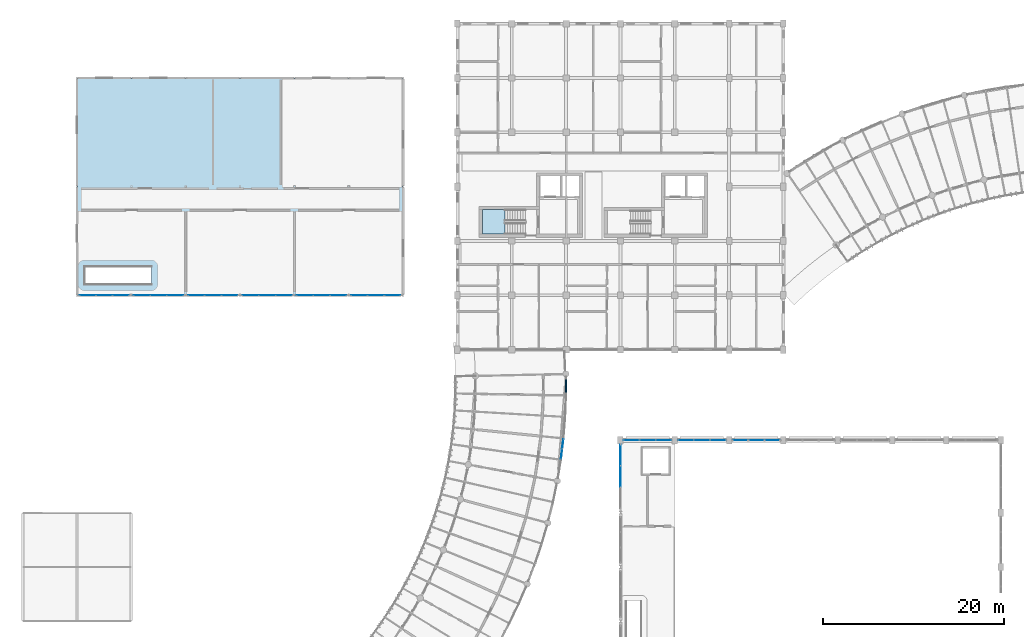
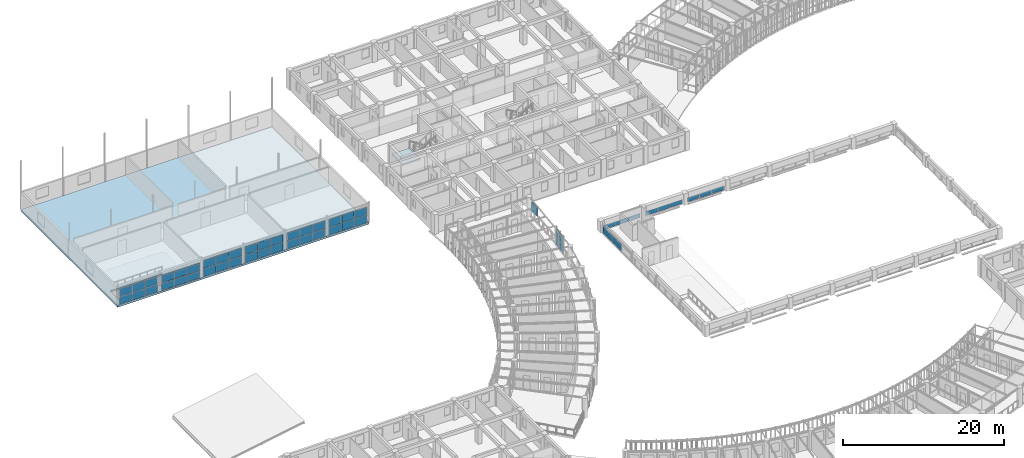
# One storey, part 79 of 137: 52 plates, 2 slabs, 12 elements without a shape of their own.
"""IFC4 building model written with IfcOpenShell, lengths in metres."""

import ifcopenshell
import ifcopenshell.guid

model = None  # the IFC model being written
_history = None  # IfcOwnerHistory: only IFC2X3 demands one
_inside = {}  # id of a spatial element -> (the spatial element, [elements in it])
_under = {}  # id of a project, library or spatial element -> (it, [spatial elements below it])
_declared = {}  # id of a project -> (the project, [libraries it declares])
_typed = {}  # id of a type object -> (the type object, [elements of that type])
_made_of = {}  # id of a material, layer set ... -> (it, [elements and type objects made of it])


def new_model(schema):
    """Start an empty IFC model of exactly this schema.

    Asked for "IFC4X3", IfcOpenShell would pick the latest addendum, in which some entities
    have other attributes; the version numbers below select the first issue.
    IFC2X3 requires an IfcOwnerHistory on every rooted entity: one is made here for all.
    """
    global model, _history
    if schema == "IFC4X3":
        model = ifcopenshell.file(schema_version=(4, 3, 0, 0))
    else:
        model = ifcopenshell.file(schema=schema)
    _inside.clear()
    _under.clear()
    _declared.clear()
    _typed.clear()
    _made_of.clear()
    _history = None
    if model.schema == "IFC2X3":
        org = make("IfcOrganization", Name="unknown")
        user = make(
            "IfcPersonAndOrganization",
            ThePerson=make("IfcPerson", FamilyName="unknown"),
            TheOrganization=org,
        )
        app = make(
            "IfcApplication",
            ApplicationDeveloper=org,
            Version="unknown",
            ApplicationFullName="unknown",
            ApplicationIdentifier="unknown",
        )
        _history = make(
            "IfcOwnerHistory",
            OwningUser=user,
            OwningApplication=app,
            ChangeAction="ADDED",
            CreationDate=0,
        )
    return model


def make(cls, **values):
    """One entity of the class cls with the attributes given. An attribute that is None is left unset."""
    return model.create_entity(
        cls, **{name: value for name, value in values.items() if value is not None}
    )


def rooted(cls, **values):
    """An entity with a GlobalId (a new one), such as an element, a storey or a relation."""
    return make(cls, GlobalId=ifcopenshell.guid.new(), OwnerHistory=_history, **values)


def si_unit(unit_type, name, prefix=None):
    """IfcSIUnit, for example si_unit("LENGTHUNIT", "METRE", prefix="MILLI")."""
    return make("IfcSIUnit", UnitType=unit_type, Prefix=prefix, Name=name)


def assignment(units):
    """IfcUnitAssignment: the units of a project."""
    return None if units is None else make("IfcUnitAssignment", Units=units)


def point(xyz):
    """IfcCartesianPoint."""
    return None if xyz is None else make("IfcCartesianPoint", Coordinates=xyz)


def direction(xyz):
    """IfcDirection."""
    return None if xyz is None else make("IfcDirection", DirectionRatios=xyz)


def frame(location, z_axis=None, x_axis=None):
    """IfcAxis2Placement3D, a coordinate frame: its origin and axes. An axis left out is left unset."""
    return make(
        "IfcAxis2Placement3D",
        Location=point(location),
        Axis=direction(z_axis),
        RefDirection=direction(x_axis),
    )


def frame_2d(location, x_axis=None):
    """IfcAxis2Placement2D, a coordinate frame in the plane: its origin and x axis."""
    return make(
        "IfcAxis2Placement2D", Location=point(location), RefDirection=direction(x_axis)
    )


def origin():
    """The frame at (0, 0, 0) with its axes left unset."""
    return frame((0.0, 0.0, 0.0))


def origin_2d():
    """The frame at (0, 0) in the plane with its x axis left unset."""
    return frame_2d((0.0, 0.0))


def place(relative_to, where):
    """IfcLocalPlacement: puts the frame where relative to a parent placement (None: the world)."""
    return make(
        "IfcLocalPlacement", PlacementRelTo=relative_to, RelativePlacement=where
    )


def context(
    kind, dimensions, precision=None, world=None, true_north=None, identifier=None
):
    """IfcGeometricRepresentationContext, for example the 3D "Model" context."""
    return make(
        "IfcGeometricRepresentationContext",
        ContextIdentifier=identifier,
        ContextType=kind,
        CoordinateSpaceDimension=dimensions,
        Precision=precision,
        WorldCoordinateSystem=world,
        TrueNorth=true_north,
    )


def subcontext(parent, identifier, kind, view, scale=None):
    """IfcGeometricRepresentationSubContext, for example "Body" below "Model"."""
    return make(
        "IfcGeometricRepresentationSubContext",
        ContextIdentifier=identifier,
        ContextType=kind,
        ParentContext=parent,
        TargetScale=scale,
        TargetView=view,
    )


def project(units=None, contexts=None):
    """IfcProject with its units and contexts."""
    return rooted(
        "IfcProject",
        Name="project",
        RepresentationContexts=contexts,
        UnitsInContext=assignment(units),
    )


def spatial(cls, under=None, at=None, **own):
    """A site, building, storey or space (cls), placed at a placement, below another one or the project."""
    s = rooted(cls, ObjectPlacement=at, **own)
    if under is not None:
        _under.setdefault(under.id(), (under, []))[1].append(s)
    return s


def polyline(points):
    """IfcPolyline through the points."""
    return make("IfcPolyline", Points=[point(p) for p in points])


def profile(cls, at=None, kind="AREA", **sizes):
    """A parametric profile (cls). Its sizes go by their IFC names, for example OverallWidth=200.0."""
    return make(cls, ProfileType=kind, Position=at, **sizes)


def rectangle(**sizes):
    """IfcRectangleProfileDef."""
    return profile("IfcRectangleProfileDef", **sizes)


def outline(outer, holes=None, kind="AREA"):
    """IfcArbitraryClosedProfileDef: a profile drawn as a closed curve; with holes, ...WithVoids."""
    if holes is None:
        return make("IfcArbitraryClosedProfileDef", ProfileType=kind, OuterCurve=outer)
    return make(
        "IfcArbitraryProfileDefWithVoids",
        ProfileType=kind,
        OuterCurve=outer,
        InnerCurves=holes,
    )


def extrude(swept, where, along, depth):
    """IfcExtrudedAreaSolid: the profile swept, set in the frame where, extruded along a direction by depth."""
    return make(
        "IfcExtrudedAreaSolid",
        SweptArea=swept,
        Position=where,
        ExtrudedDirection=direction(along),
        Depth=depth,
    )


def shape(context_of_items, identifier, shape_type, items):
    """IfcShapeRepresentation: the items that make up one representation, for example the "Body"."""
    return make(
        "IfcShapeRepresentation",
        ContextOfItems=context_of_items,
        RepresentationIdentifier=identifier,
        RepresentationType=shape_type,
        Items=items,
    )


def material(Name=None, Category=None):
    """IfcMaterial."""
    return make("IfcMaterial", Name=Name, Category=Category)


def layer(
    of_material, thickness, ventilated=None, Name=None, Category=None, Priority=None
):
    """IfcMaterialLayer: one layer of a wall or slab, of a material (None: an air gap)."""
    return make(
        "IfcMaterialLayer",
        Material=of_material,
        LayerThickness=thickness,
        IsVentilated=ventilated,
        Name=Name,
        Category=Category,
        Priority=Priority,
    )


def layer_set(layers, Name=None):
    """IfcMaterialLayerSet."""
    return make("IfcMaterialLayerSet", MaterialLayers=layers, LayerSetName=Name)


def made_of(thing, what):
    """Note that an element or type object is made of a material, layer set ...; save() writes the relation."""
    if what is not None:
        _made_of.setdefault(what.id(), (what, []))[1].append(thing)
    return thing


def type_object(cls, material=None, **own):
    """A type object (cls), such as IfcWallType, which elements share."""
    return made_of(rooted(cls, **own), material)


def element(
    cls,
    number,
    at=None,
    inside=None,
    cuts=None,
    type_object=None,
    material=None,
    context=None,
    identifier="Body",
    shape_type=None,
    held_by="IfcProductDefinitionShape",
    body=None,
    shapes=None,
    **own,
):
    """One element of the class cls, such as IfcWall. Its Tag is "e" and its number.

    at: its placement. inside: the storey or other place that contains it. cuts: it is an
    opening in that element (IfcRelVoidsElement). A single representation is given by context,
    identifier, shape_type and body (its items); several are given by shapes. held_by: the class
    of the entity that holds the representations. save() writes the other relations.
    """
    e = rooted(cls, Tag="e%d" % number, ObjectPlacement=at, **own)
    if body is not None:
        shapes = [shape(context, identifier, shape_type, body)]
    if shapes is not None:
        e.Representation = make(held_by, Representations=shapes)
    if inside is not None:
        _inside.setdefault(inside.id(), (inside, []))[1].append(e)
    if cuts is not None:
        rooted(
            "IfcRelVoidsElement", RelatingBuildingElement=cuts, RelatedOpeningElement=e
        )
    if type_object is not None:
        _typed.setdefault(type_object.id(), (type_object, []))[1].append(e)
    return made_of(e, material)


def aggregate(whole, parts):
    """IfcRelAggregates: a whole, such as a stair, and the parts it consists of."""
    return rooted("IfcRelAggregates", RelatingObject=whole, RelatedObjects=parts)


def save(model, path):
    """Write the relations noted so far, then the file.

    IfcRelAggregates (storeys below a building ...), IfcRelContainedInSpatialStructure (elements
    in a storey), IfcRelDefinesByType, IfcRelAssociatesMaterial and IfcRelDeclares: one each for
    every whole, place, type object, material and project.
    """
    for whole, parts in _under.values():
        aggregate(whole, parts)
    for where, things in _inside.values():
        rooted(
            "IfcRelContainedInSpatialStructure",
            RelatedElements=things,
            RelatingStructure=where,
        )
    for kind, things in _typed.values():
        rooted("IfcRelDefinesByType", RelatedObjects=things, RelatingType=kind)
    for what, things in _made_of.values():
        rooted("IfcRelAssociatesMaterial", RelatedObjects=things, RelatingMaterial=what)
    for by, libraries in _declared.values():
        rooted("IfcRelDeclares", RelatingContext=by, RelatedDefinitions=libraries)
    model.write(path)


model = new_model("IFC4")

# Units and contexts
model_context = context("Model", 3, precision=1e-05, world=origin(), true_north=direction((0.0, 1.0)))
body_context = subcontext(model_context, "Body", "Model", "MODEL_VIEW")
ifc_project = project(units=[si_unit("LENGTHUNIT", "METRE"), si_unit("AREAUNIT", "SQUARE_METRE"), si_unit("VOLUMEUNIT", "CUBIC_METRE"), si_unit("PLANEANGLEUNIT", "RADIAN"), si_unit("MASSUNIT", "GRAM", prefix="KILO"), si_unit("POWERUNIT", "WATT"), si_unit("THERMODYNAMICTEMPERATUREUNIT", "KELVIN")], contexts=[model_context])

# Site, building, storey
site_placement = place(None, origin())
site = spatial("IfcSite", under=ifc_project, at=site_placement, CompositionType="ELEMENT")
building_placement = place(site_placement, origin())
building = spatial("IfcBuilding", under=site, at=building_placement, Name="Ruvembo Vaulted Housing Court", CompositionType="ELEMENT")
storey_placement = place(building_placement, frame((0.0, 0.0, 4.5)))
storey = spatial("IfcBuildingStorey", under=building, at=storey_placement, Name="L01", CompositionType="ELEMENT", Elevation=4.5)

# Curtain wall, plates
ifc_material_1 = material(Name="Anodised Aluminium and Solar-Control Glass", Category="aluminium")
ifc_layer_1 = layer(ifc_material_1, 0.1201171875, Name="Anodised Aluminium and Solar-Control Glass")
ifc_layer_set_1 = layer_set([ifc_layer_1], Name="Anodised Aluminium and Solar-Control Glass")
curtain_wall_type_1 = type_object("IfcCurtainWallType", Name="CW-SCOOP-GAL", PredefinedType="NOTDEFINED", material=ifc_layer_set_1)
curtain_wall_1_placement = place(storey_placement, origin())
curtain_wall_1 = element("IfcCurtainWall", 1, at=curtain_wall_1_placement, inside=storey, type_object=curtain_wall_type_1, Name="L01 Curtain Wall CW-L01-0012", PredefinedType="NOTDEFINED")
ifc_material_2 = material(Name="Solar-Control Laminated Insulating Glass", Category="glass")
ifc_layer_2 = layer(ifc_material_2, 0.035888671875, Name="Solar-Control Laminated Insulating Glass")
ifc_layer_set_2 = layer_set([ifc_layer_2], Name="Solar-Control Laminated Insulating Glass")
plate_type_1 = type_object("IfcPlateType", Name="CW-PANEL-ACOUST", PredefinedType="CURTAIN_PANEL", material=ifc_layer_set_2)
plate_1_placement = place(storey_placement, frame((59.49951171875, 66.47021484375, 0.06005859375), z_axis=(0.0, 0.0, 1.0), x_axis=(0.12040089337, 0.992725352187, 0.0)))
plate_1 = element("IfcPlate", 2, at=plate_1_placement, type_object=plate_type_1, Name="CW6 panel 1.1", PredefinedType="CURTAIN_PANEL", context=body_context, shape_type="SweptSolid", body=[
    extrude(rectangle(XDim=1.04833984375, YDim=0.035888671875, at=origin_2d()), origin(), (0.0, 0.0, 1.0), 1.259033203125),
])
plate_2_placement = place(storey_placement, frame((59.49951171875, 66.47021484375, 1.37890625), z_axis=(0.0, 0.0, 1.0), x_axis=(0.12040089337, 0.992725352187, 0.0)))
plate_2 = element("IfcPlate", 3, at=plate_2_placement, type_object=plate_type_1, Name="CW6 panel 1.2", PredefinedType="CURTAIN_PANEL", context=body_context, shape_type="SweptSolid", body=[
    extrude(rectangle(XDim=1.04833984375, YDim=0.035888671875, at=origin_2d()), origin(), (0.0, 0.0, 1.0), 1.259033203125),
])
plate_3_placement = place(storey_placement, frame((59.633056640625, 67.570556640625, 0.06005859375), z_axis=(0.0, 0.0, 1.0), x_axis=(0.12040089337, 0.992725352187, 0.0)))
plate_3 = element("IfcPlate", 4, at=plate_3_placement, type_object=plate_type_1, Name="CW6 panel 2.1", PredefinedType="CURTAIN_PANEL", context=body_context, shape_type="SweptSolid", body=[
    extrude(rectangle(XDim=1.04833984375, YDim=0.035888671875, at=origin_2d()), origin(), (0.0, 0.0, 1.0), 1.259033203125),
])
plate_4_placement = place(storey_placement, frame((59.633056640625, 67.570556640625, 1.37890625), z_axis=(0.0, 0.0, 1.0), x_axis=(0.12040089337, 0.992725352187, 0.0)))
plate_4 = element("IfcPlate", 5, at=plate_4_placement, type_object=plate_type_1, Name="CW6 panel 2.2", PredefinedType="CURTAIN_PANEL", context=body_context, shape_type="SweptSolid", body=[
    extrude(rectangle(XDim=1.04833984375, YDim=0.035888671875, at=origin_2d()), origin(), (0.0, 0.0, 1.0), 1.259033203125),
])
aggregate(curtain_wall_1, [plate_1, plate_2, plate_3, plate_4])

ifc_layer_3 = layer(ifc_material_1, 0.139892578125, Name="Anodised Aluminium and Solar-Control Glass")
ifc_layer_set_3 = layer_set([ifc_layer_3], Name="Anodised Aluminium and Solar-Control Glass")
curtain_wall_type_2 = type_object("IfcCurtainWallType", Name="CW-HALL-CLER", PredefinedType="NOTDEFINED", material=ifc_layer_set_3)
curtain_wall_2_placement = place(storey_placement, origin())
curtain_wall_2 = element("IfcCurtainWall", 6, at=curtain_wall_2_placement, inside=storey, type_object=curtain_wall_type_2, Name="L01 Curtain Wall CW-L01-0096", PredefinedType="NOTDEFINED")
plate_5_placement = place(storey_placement, frame((73.231689453125, 68.0, 0.06005859375), z_axis=(0.0, 0.0, 1.0), x_axis=(1.0, 0.0, 0.0)))
plate_5 = element("IfcPlate", 7, at=plate_5_placement, type_object=plate_type_1, Name="CW7 panel 1.1", PredefinedType="CURTAIN_PANEL", context=body_context, shape_type="SweptSolid", body=[
    extrude(rectangle(XDim=1.693359375, YDim=0.035888671875, at=origin_2d()), origin(), (0.0, 0.0, 1.0), 0.6298828125),
])
plate_6_placement = place(storey_placement, frame((75.0, 68.0, 0.06005859375), z_axis=(0.0, 0.0, 1.0), x_axis=(1.0, 0.0, 0.0)))
plate_6 = element("IfcPlate", 8, at=plate_6_placement, type_object=plate_type_1, Name="CW7 panel 2.1", PredefinedType="CURTAIN_PANEL", context=body_context, shape_type="SweptSolid", body=[
    extrude(rectangle(XDim=1.723388671875, YDim=0.035888671875, at=origin_2d()), origin(), (0.0, 0.0, 1.0), 0.6298828125),
])
plate_7_placement = place(storey_placement, frame((76.768310546875, 68.0, 0.06005859375), z_axis=(0.0, 0.0, 1.0), x_axis=(1.0, 0.0, 0.0)))
plate_7 = element("IfcPlate", 9, at=plate_7_placement, type_object=plate_type_1, Name="CW7 panel 3.1", PredefinedType="CURTAIN_PANEL", context=body_context, shape_type="SweptSolid", body=[
    extrude(rectangle(XDim=1.693359375, YDim=0.035888671875, at=origin_2d()), origin(), (0.0, 0.0, 1.0), 0.6298828125),
])
aggregate(curtain_wall_2, [plate_5, plate_6, plate_7])

ifc_layer_4 = layer(ifc_material_1, 0.179931640625, Name="Anodised Aluminium and Solar-Control Glass")
ifc_layer_set_4 = layer_set([ifc_layer_4], Name="Anodised Aluminium and Solar-Control Glass")
curtain_wall_type_3 = type_object("IfcCurtainWallType", Name="CW-HALL-TYMP", PredefinedType="NOTDEFINED", material=ifc_layer_set_4)
curtain_wall_3_placement = place(storey_placement, origin())
curtain_wall_3 = element("IfcCurtainWall", 10, at=curtain_wall_3_placement, inside=storey, type_object=curtain_wall_type_3, Name="L01 Curtain Wall CW-L01-0120", PredefinedType="NOTDEFINED")
plate_8_placement = place(storey_placement, frame((66.0, 64.0, 0.06005859375), z_axis=(0.0, 0.0, 1.0), x_axis=(0.0, 1.0, 0.0)))
plate_8 = element("IfcPlate", 11, at=plate_8_placement, type_object=plate_type_1, Name="CW2 panel 2.1", PredefinedType="CURTAIN_PANEL", context=body_context, shape_type="SweptSolid", body=[
    extrude(rectangle(XDim=2.306640625, YDim=0.035888671875, at=origin_2d()), origin(), (0.0, 0.0, 1.0), 0.97998046875),
])
plate_9_placement = place(storey_placement, frame((66.0, 66.3515625, 0.06005859375), z_axis=(0.0, 0.0, 1.0), x_axis=(0.0, 1.0, 0.0)))
plate_9 = element("IfcPlate", 12, at=plate_9_placement, type_object=plate_type_1, Name="CW2 panel 3.1", PredefinedType="CURTAIN_PANEL", context=body_context, shape_type="SweptSolid", body=[
    extrude(rectangle(XDim=2.276611328125, YDim=0.035888671875, at=origin_2d()), origin(), (0.0, 0.0, 1.0), 0.97998046875),
])
aggregate(curtain_wall_3, [plate_8, plate_9])

ifc_layer_5 = layer(ifc_material_1, 0.1201171875, Name="Anodised Aluminium and Solar-Control Glass")
ifc_layer_set_5 = layer_set([ifc_layer_5], Name="Anodised Aluminium and Solar-Control Glass")
curtain_wall_type_4 = type_object("IfcCurtainWallType", Name="CW-NURSERY-U", PredefinedType="NOTDEFINED", material=ifc_layer_set_5)
curtain_wall_4_placement = place(storey_placement, origin())
curtain_wall_4 = element("IfcCurtainWall", 13, at=curtain_wall_4_placement, inside=storey, type_object=curtain_wall_type_4, Name="L01 Curtain Wall CW-L01-0135", PredefinedType="NOTDEFINED")
plate_10_placement = place(storey_placement, frame((25.163818359375, 84.0, 0.06005859375), z_axis=(0.0, 0.0, 1.0), x_axis=(1.0, 0.0, 0.0)))
plate_10 = element("IfcPlate", 14, at=plate_10_placement, type_object=plate_type_1, Name="CW9 panel 1.1", PredefinedType="CURTAIN_PANEL", context=body_context, shape_type="SweptSolid", body=[
    extrude(rectangle(XDim=1.767578125, YDim=0.035888671875, at=origin_2d()), origin(), (0.0, 0.0, 1.0), 1.18896484375),
])
plate_11_placement = place(storey_placement, frame((25.163818359375, 84.0, 1.30908203125), z_axis=(0.0, 0.0, 1.0), x_axis=(1.0, 0.0, 0.0)))
plate_11 = element("IfcPlate", 15, at=plate_11_placement, type_object=plate_type_1, Name="CW9 panel 1.2", PredefinedType="CURTAIN_PANEL", context=body_context, shape_type="SweptSolid", body=[
    extrude(rectangle(XDim=1.767578125, YDim=0.035888671875, at=origin_2d()), origin(), (0.0, 0.0, 1.0), 1.18896484375),
])
plate_12_placement = place(storey_placement, frame((27.0, 84.0, 0.06005859375), z_axis=(0.0, 0.0, 1.0), x_axis=(1.0, 0.0, 0.0)))
plate_12 = element("IfcPlate", 16, at=plate_12_placement, type_object=plate_type_1, Name="CW9 panel 2.1", PredefinedType="CURTAIN_PANEL", context=body_context, shape_type="SweptSolid", body=[
    extrude(rectangle(XDim=1.794921875, YDim=0.035888671875, at=origin_2d()), origin(), (0.0, 0.0, 1.0), 1.18896484375),
])
plate_13_placement = place(storey_placement, frame((27.0, 84.0, 1.30908203125), z_axis=(0.0, 0.0, 1.0), x_axis=(1.0, 0.0, 0.0)))
plate_13 = element("IfcPlate", 17, at=plate_13_placement, type_object=plate_type_1, Name="CW9 panel 2.2", PredefinedType="CURTAIN_PANEL", context=body_context, shape_type="SweptSolid", body=[
    extrude(rectangle(XDim=1.794921875, YDim=0.035888671875, at=origin_2d()), origin(), (0.0, 0.0, 1.0), 1.18896484375),
])
plate_14_placement = place(storey_placement, frame((28.836181640625, 84.0, 0.06005859375), z_axis=(0.0, 0.0, 1.0), x_axis=(1.0, 0.0, 0.0)))
plate_14 = element("IfcPlate", 18, at=plate_14_placement, type_object=plate_type_1, Name="CW9 panel 3.1", PredefinedType="CURTAIN_PANEL", context=body_context, shape_type="SweptSolid", body=[
    extrude(rectangle(XDim=1.767578125, YDim=0.035888671875, at=origin_2d()), origin(), (0.0, 0.0, 1.0), 1.18896484375),
])
plate_15_placement = place(storey_placement, frame((28.836181640625, 84.0, 1.30908203125), z_axis=(0.0, 0.0, 1.0), x_axis=(1.0, 0.0, 0.0)))
plate_15 = element("IfcPlate", 19, at=plate_15_placement, type_object=plate_type_1, Name="CW9 panel 3.2", PredefinedType="CURTAIN_PANEL", context=body_context, shape_type="SweptSolid", body=[
    extrude(rectangle(XDim=1.767578125, YDim=0.035888671875, at=origin_2d()), origin(), (0.0, 0.0, 1.0), 1.18896484375),
])
aggregate(curtain_wall_4, [plate_10, plate_11, plate_12, plate_13, plate_14, plate_15])

curtain_wall_5_placement = place(storey_placement, origin())
curtain_wall_5 = element("IfcCurtainWall", 20, at=curtain_wall_5_placement, inside=storey, type_object=curtain_wall_type_4, Name="L01 Curtain Wall CW-L01-0138", PredefinedType="NOTDEFINED")
plate_16_placement = place(storey_placement, frame((37.166259765625, 84.0, 0.06005859375), z_axis=(0.0, 0.0, 1.0), x_axis=(1.0, 0.0, 0.0)))
plate_16 = element("IfcPlate", 21, at=plate_16_placement, type_object=plate_type_1, Name="CW9 panel 1.1", PredefinedType="CURTAIN_PANEL", context=body_context, shape_type="SweptSolid", body=[
    extrude(rectangle(XDim=1.75244140625, YDim=0.035888671875, at=origin_2d()), origin(), (0.0, 0.0, 1.0), 1.158935546875),
])
plate_17_placement = place(storey_placement, frame((37.166259765625, 84.0, 1.27880859375), z_axis=(0.0, 0.0, 1.0), x_axis=(1.0, 0.0, 0.0)))
plate_17 = element("IfcPlate", 22, at=plate_17_placement, type_object=plate_type_1, Name="CW9 panel 1.2", PredefinedType="CURTAIN_PANEL", context=body_context, shape_type="SweptSolid", body=[
    extrude(rectangle(XDim=1.75244140625, YDim=0.035888671875, at=origin_2d()), origin(), (0.0, 0.0, 1.0), 1.158935546875),
])
plate_18_placement = place(storey_placement, frame((39.0, 84.0, 0.06005859375), z_axis=(0.0, 0.0, 1.0), x_axis=(1.0, 0.0, 0.0)))
plate_18 = element("IfcPlate", 23, at=plate_18_placement, type_object=plate_type_1, Name="CW9 panel 2.1", PredefinedType="CURTAIN_PANEL", context=body_context, shape_type="SweptSolid", body=[
    extrude(rectangle(XDim=1.784912109375, YDim=0.035888671875, at=origin_2d()), origin(), (0.0, 0.0, 1.0), 1.158935546875),
])
plate_19_placement = place(storey_placement, frame((39.0, 84.0, 1.27880859375), z_axis=(0.0, 0.0, 1.0), x_axis=(1.0, 0.0, 0.0)))
plate_19 = element("IfcPlate", 24, at=plate_19_placement, type_object=plate_type_1, Name="CW9 panel 2.2", PredefinedType="CURTAIN_PANEL", context=body_context, shape_type="SweptSolid", body=[
    extrude(rectangle(XDim=1.784912109375, YDim=0.035888671875, at=origin_2d()), origin(), (0.0, 0.0, 1.0), 1.158935546875),
])
plate_20_placement = place(storey_placement, frame((40.833740234375, 84.0, 0.06005859375), z_axis=(0.0, 0.0, 1.0), x_axis=(1.0, 0.0, 0.0)))
plate_20 = element("IfcPlate", 25, at=plate_20_placement, type_object=plate_type_1, Name="CW9 panel 3.1", PredefinedType="CURTAIN_PANEL", context=body_context, shape_type="SweptSolid", body=[
    extrude(rectangle(XDim=1.75244140625, YDim=0.035888671875, at=origin_2d()), origin(), (0.0, 0.0, 1.0), 1.158935546875),
])
plate_21_placement = place(storey_placement, frame((40.833740234375, 84.0, 1.27880859375), z_axis=(0.0, 0.0, 1.0), x_axis=(1.0, 0.0, 0.0)))
plate_21 = element("IfcPlate", 26, at=plate_21_placement, type_object=plate_type_1, Name="CW9 panel 3.2", PredefinedType="CURTAIN_PANEL", context=body_context, shape_type="SweptSolid", body=[
    extrude(rectangle(XDim=1.75244140625, YDim=0.035888671875, at=origin_2d()), origin(), (0.0, 0.0, 1.0), 1.158935546875),
])
aggregate(curtain_wall_5, [plate_16, plate_17, plate_18, plate_19, plate_20, plate_21])

curtain_wall_6_placement = place(storey_placement, origin())
curtain_wall_6 = element("IfcCurtainWall", 27, at=curtain_wall_6_placement, inside=storey, type_object=curtain_wall_type_2, Name="L01 Curtain Wall CW-L01-0092", PredefinedType="NOTDEFINED")
ifc_layer_6 = layer(ifc_material_2, 0.028076171875, Name="Solar-Control Laminated Insulating Glass")
ifc_layer_set_6 = layer_set([ifc_layer_6], Name="Solar-Control Laminated Insulating Glass")
plate_type_2 = type_object("IfcPlateType", Name="CW-PANEL-GLAZED", PredefinedType="CURTAIN_PANEL", material=ifc_layer_set_6)
plate_22_placement = place(storey_placement, frame((67.231689453125, 68.0, 0.06005859375), z_axis=(0.0, 0.0, 1.0), x_axis=(1.0, 0.0, 0.0)))
plate_22 = element("IfcPlate", 28, at=plate_22_placement, type_object=plate_type_2, Name="CW7 panel 1.1", PredefinedType="CURTAIN_PANEL", context=body_context, shape_type="SweptSolid", body=[
    extrude(rectangle(XDim=1.693359375, YDim=0.028076171875, at=origin_2d()), origin(), (0.0, 0.0, 1.0), 0.6298828125),
])
plate_23_placement = place(storey_placement, frame((69.0, 68.0, 0.06005859375), z_axis=(0.0, 0.0, 1.0), x_axis=(1.0, 0.0, 0.0)))
plate_23 = element("IfcPlate", 29, at=plate_23_placement, type_object=plate_type_2, Name="CW7 panel 2.1", PredefinedType="CURTAIN_PANEL", context=body_context, shape_type="SweptSolid", body=[
    extrude(rectangle(XDim=1.723388671875, YDim=0.028076171875, at=origin_2d()), origin(), (0.0, 0.0, 1.0), 0.6298828125),
])
plate_24_placement = place(storey_placement, frame((70.768310546875, 68.0, 0.06005859375), z_axis=(0.0, 0.0, 1.0), x_axis=(1.0, 0.0, 0.0)))
plate_24 = element("IfcPlate", 30, at=plate_24_placement, type_object=plate_type_2, Name="CW7 panel 3.1", PredefinedType="CURTAIN_PANEL", context=body_context, shape_type="SweptSolid", body=[
    extrude(rectangle(XDim=1.693359375, YDim=0.028076171875, at=origin_2d()), origin(), (0.0, 0.0, 1.0), 0.6298828125),
])
aggregate(curtain_wall_6, [plate_22, plate_23, plate_24])

curtain_wall_7_placement = place(storey_placement, origin())
curtain_wall_7 = element("IfcCurtainWall", 31, at=curtain_wall_7_placement, inside=storey, type_object=curtain_wall_type_2, Name="L01 Curtain Wall CW-L01-0098", PredefinedType="NOTDEFINED")
plate_25_placement = place(storey_placement, frame((79.23291015625, 68.0, 0.06005859375), z_axis=(0.0, 0.0, 1.0), x_axis=(1.0, 0.0, 0.0)))
plate_25 = element("IfcPlate", 32, at=plate_25_placement, type_object=plate_type_2, Name="CW7 panel 1.1", PredefinedType="CURTAIN_PANEL", context=body_context, shape_type="SweptSolid", body=[
    extrude(rectangle(XDim=1.685791015625, YDim=0.028076171875, at=origin_2d()), origin(), (0.0, 0.0, 1.0), 0.6298828125),
])
plate_26_placement = place(storey_placement, frame((81.0, 68.0, 0.06005859375), z_axis=(0.0, 0.0, 1.0), x_axis=(1.0, 0.0, 0.0)))
plate_26 = element("IfcPlate", 33, at=plate_26_placement, type_object=plate_type_2, Name="CW7 panel 2.1", PredefinedType="CURTAIN_PANEL", context=body_context, shape_type="SweptSolid", body=[
    extrude(rectangle(XDim=1.71826171875, YDim=0.028076171875, at=origin_2d()), origin(), (0.0, 0.0, 1.0), 0.6298828125),
])
plate_27_placement = place(storey_placement, frame((82.76708984375, 68.0, 0.06005859375), z_axis=(0.0, 0.0, 1.0), x_axis=(1.0, 0.0, 0.0)))
plate_27 = element("IfcPlate", 34, at=plate_27_placement, type_object=plate_type_2, Name="CW7 panel 3.1", PredefinedType="CURTAIN_PANEL", context=body_context, shape_type="SweptSolid", body=[
    extrude(rectangle(XDim=1.685791015625, YDim=0.028076171875, at=origin_2d()), origin(), (0.0, 0.0, 1.0), 0.6298828125),
])
aggregate(curtain_wall_7, [plate_25, plate_26, plate_27])

curtain_wall_8_placement = place(storey_placement, origin())
curtain_wall_8 = element("IfcCurtainWall", 35, at=curtain_wall_8_placement, inside=storey, type_object=curtain_wall_type_4, Name="L01 Curtain Wall CW-L01-0131", PredefinedType="NOTDEFINED")
plate_28_placement = place(storey_placement, frame((13.163818359375, 84.0, 0.06005859375), z_axis=(0.0, 0.0, 1.0), x_axis=(1.0, 0.0, 0.0)))
plate_28 = element("IfcPlate", 36, at=plate_28_placement, type_object=plate_type_2, Name="CW9 panel 1.1", PredefinedType="CURTAIN_PANEL", context=body_context, shape_type="SweptSolid", body=[
    extrude(rectangle(XDim=1.767578125, YDim=0.028076171875, at=origin_2d()), origin(), (0.0, 0.0, 1.0), 1.114013671875),
])
plate_29_placement = place(storey_placement, frame((13.163818359375, 84.0, 1.23388671875), z_axis=(0.0, 0.0, 1.0), x_axis=(1.0, 0.0, 0.0)))
plate_29 = element("IfcPlate", 37, at=plate_29_placement, type_object=plate_type_2, Name="CW9 panel 1.2", PredefinedType="CURTAIN_PANEL", context=body_context, shape_type="SweptSolid", body=[
    extrude(rectangle(XDim=1.767578125, YDim=0.028076171875, at=origin_2d()), origin(), (0.0, 0.0, 1.0), 1.114013671875),
])
plate_30_placement = place(storey_placement, frame((15.0, 84.0, 0.06005859375), z_axis=(0.0, 0.0, 1.0), x_axis=(1.0, 0.0, 0.0)))
plate_30 = element("IfcPlate", 38, at=plate_30_placement, type_object=plate_type_2, Name="CW9 panel 2.1", PredefinedType="CURTAIN_PANEL", context=body_context, shape_type="SweptSolid", body=[
    extrude(rectangle(XDim=1.794921875, YDim=0.028076171875, at=origin_2d()), origin(), (0.0, 0.0, 1.0), 1.114013671875),
])
plate_31_placement = place(storey_placement, frame((15.0, 84.0, 1.23388671875), z_axis=(0.0, 0.0, 1.0), x_axis=(1.0, 0.0, 0.0)))
plate_31 = element("IfcPlate", 39, at=plate_31_placement, type_object=plate_type_2, Name="CW9 panel 2.2", PredefinedType="CURTAIN_PANEL", context=body_context, shape_type="SweptSolid", body=[
    extrude(rectangle(XDim=1.794921875, YDim=0.028076171875, at=origin_2d()), origin(), (0.0, 0.0, 1.0), 1.114013671875),
])
plate_32_placement = place(storey_placement, frame((16.836181640625, 84.0, 0.06005859375), z_axis=(0.0, 0.0, 1.0), x_axis=(1.0, 0.0, 0.0)))
plate_32 = element("IfcPlate", 40, at=plate_32_placement, type_object=plate_type_2, Name="CW9 panel 3.1", PredefinedType="CURTAIN_PANEL", context=body_context, shape_type="SweptSolid", body=[
    extrude(rectangle(XDim=1.767578125, YDim=0.028076171875, at=origin_2d()), origin(), (0.0, 0.0, 1.0), 1.114013671875),
])
plate_33_placement = place(storey_placement, frame((16.836181640625, 84.0, 1.23388671875), z_axis=(0.0, 0.0, 1.0), x_axis=(1.0, 0.0, 0.0)))
plate_33 = element("IfcPlate", 41, at=plate_33_placement, type_object=plate_type_2, Name="CW9 panel 3.2", PredefinedType="CURTAIN_PANEL", context=body_context, shape_type="SweptSolid", body=[
    extrude(rectangle(XDim=1.767578125, YDim=0.028076171875, at=origin_2d()), origin(), (0.0, 0.0, 1.0), 1.114013671875),
])
aggregate(curtain_wall_8, [plate_28, plate_29, plate_30, plate_31, plate_32, plate_33])

curtain_wall_9_placement = place(storey_placement, origin())
curtain_wall_9 = element("IfcCurtainWall", 42, at=curtain_wall_9_placement, inside=storey, type_object=curtain_wall_type_4, Name="L01 Curtain Wall CW-L01-0130", PredefinedType="NOTDEFINED")
ifc_layer_7 = layer(ifc_material_2, 0.031982421875, Name="Solar-Control Laminated Insulating Glass")
ifc_layer_set_7 = layer_set([ifc_layer_7], Name="Solar-Control Laminated Insulating Glass")
plate_type_3 = type_object("IfcPlateType", Name="CW-PANEL-SOLAR", PredefinedType="CURTAIN_PANEL", material=ifc_layer_set_7)
plate_34_placement = place(storey_placement, frame((7.166259765625, 84.0, 0.06494140625), z_axis=(0.0, 0.0, 1.0), x_axis=(1.0, 0.0, 0.0)))
plate_34 = element("IfcPlate", 43, at=plate_34_placement, type_object=plate_type_3, Name="CW9 panel 1.1", PredefinedType="CURTAIN_PANEL", context=body_context, shape_type="SweptSolid", body=[
    extrude(rectangle(XDim=1.75244140625, YDim=0.031982421875, at=origin_2d()), origin(), (0.0, 0.0, 1.0), 1.131591796875),
])
plate_35_placement = place(storey_placement, frame((7.166259765625, 84.0, 1.26123046875), z_axis=(0.0, 0.0, 1.0), x_axis=(1.0, 0.0, 0.0)))
plate_35 = element("IfcPlate", 44, at=plate_35_placement, type_object=plate_type_3, Name="CW9 panel 1.2", PredefinedType="CURTAIN_PANEL", context=body_context, shape_type="SweptSolid", body=[
    extrude(rectangle(XDim=1.75244140625, YDim=0.031982421875, at=origin_2d()), origin(), (0.0, 0.0, 1.0), 1.131591796875),
])
plate_36_placement = place(storey_placement, frame((9.0, 84.0, 0.06494140625), z_axis=(0.0, 0.0, 1.0), x_axis=(1.0, 0.0, 0.0)))
plate_36 = element("IfcPlate", 45, at=plate_36_placement, type_object=plate_type_3, Name="CW9 panel 2.1", PredefinedType="CURTAIN_PANEL", context=body_context, shape_type="SweptSolid", body=[
    extrude(rectangle(XDim=1.784912109375, YDim=0.031982421875, at=origin_2d()), origin(), (0.0, 0.0, 1.0), 1.131591796875),
])
plate_37_placement = place(storey_placement, frame((9.0, 84.0, 1.26123046875), z_axis=(0.0, 0.0, 1.0), x_axis=(1.0, 0.0, 0.0)))
plate_37 = element("IfcPlate", 46, at=plate_37_placement, type_object=plate_type_3, Name="CW9 panel 2.2", PredefinedType="CURTAIN_PANEL", context=body_context, shape_type="SweptSolid", body=[
    extrude(rectangle(XDim=1.784912109375, YDim=0.031982421875, at=origin_2d()), origin(), (0.0, 0.0, 1.0), 1.131591796875),
])
plate_38_placement = place(storey_placement, frame((10.833740234375, 84.0, 0.06494140625), z_axis=(0.0, 0.0, 1.0), x_axis=(1.0, 0.0, 0.0)))
plate_38 = element("IfcPlate", 47, at=plate_38_placement, type_object=plate_type_3, Name="CW9 panel 3.1", PredefinedType="CURTAIN_PANEL", context=body_context, shape_type="SweptSolid", body=[
    extrude(rectangle(XDim=1.75244140625, YDim=0.031982421875, at=origin_2d()), origin(), (0.0, 0.0, 1.0), 1.131591796875),
])
plate_39_placement = place(storey_placement, frame((10.833740234375, 84.0, 1.26123046875), z_axis=(0.0, 0.0, 1.0), x_axis=(1.0, 0.0, 0.0)))
plate_39 = element("IfcPlate", 48, at=plate_39_placement, type_object=plate_type_3, Name="CW9 panel 3.2", PredefinedType="CURTAIN_PANEL", context=body_context, shape_type="SweptSolid", body=[
    extrude(rectangle(XDim=1.75244140625, YDim=0.031982421875, at=origin_2d()), origin(), (0.0, 0.0, 1.0), 1.131591796875),
])
aggregate(curtain_wall_9, [plate_34, plate_35, plate_36, plate_37, plate_38, plate_39])

curtain_wall_10_placement = place(storey_placement, origin())
curtain_wall_10 = element("IfcCurtainWall", 49, at=curtain_wall_10_placement, inside=storey, type_object=curtain_wall_type_4, Name="L01 Curtain Wall CW-L01-0133", PredefinedType="NOTDEFINED")
plate_40_placement = place(storey_placement, frame((19.1650390625, 84.0, 0.06494140625), z_axis=(0.0, 0.0, 1.0), x_axis=(1.0, 0.0, 0.0)))
plate_40 = element("IfcPlate", 50, at=plate_40_placement, type_object=plate_type_3, Name="CW9 panel 1.1", PredefinedType="CURTAIN_PANEL", context=body_context, shape_type="SweptSolid", body=[
    extrude(rectangle(XDim=1.760009765625, YDim=0.031982421875, at=origin_2d()), origin(), (0.0, 0.0, 1.0), 1.196533203125),
])
plate_41_placement = place(storey_placement, frame((19.1650390625, 84.0, 1.32666015625), z_axis=(0.0, 0.0, 1.0), x_axis=(1.0, 0.0, 0.0)))
plate_41 = element("IfcPlate", 51, at=plate_41_placement, type_object=plate_type_3, Name="CW9 panel 1.2", PredefinedType="CURTAIN_PANEL", context=body_context, shape_type="SweptSolid", body=[
    extrude(rectangle(XDim=1.760009765625, YDim=0.031982421875, at=origin_2d()), origin(), (0.0, 0.0, 1.0), 1.196533203125),
])
plate_42_placement = place(storey_placement, frame((21.0, 84.0, 0.06494140625), z_axis=(0.0, 0.0, 1.0), x_axis=(1.0, 0.0, 0.0)))
plate_42 = element("IfcPlate", 52, at=plate_42_placement, type_object=plate_type_3, Name="CW9 panel 2.1", PredefinedType="CURTAIN_PANEL", context=body_context, shape_type="SweptSolid", body=[
    extrude(rectangle(XDim=1.7900390625, YDim=0.031982421875, at=origin_2d()), origin(), (0.0, 0.0, 1.0), 1.196533203125),
])
plate_43_placement = place(storey_placement, frame((21.0, 84.0, 1.32666015625), z_axis=(0.0, 0.0, 1.0), x_axis=(1.0, 0.0, 0.0)))
plate_43 = element("IfcPlate", 53, at=plate_43_placement, type_object=plate_type_3, Name="CW9 panel 2.2", PredefinedType="CURTAIN_PANEL", context=body_context, shape_type="SweptSolid", body=[
    extrude(rectangle(XDim=1.7900390625, YDim=0.031982421875, at=origin_2d()), origin(), (0.0, 0.0, 1.0), 1.196533203125),
])
plate_44_placement = place(storey_placement, frame((22.8349609375, 84.0, 0.06494140625), z_axis=(0.0, 0.0, 1.0), x_axis=(1.0, 0.0, 0.0)))
plate_44 = element("IfcPlate", 54, at=plate_44_placement, type_object=plate_type_3, Name="CW9 panel 3.1", PredefinedType="CURTAIN_PANEL", context=body_context, shape_type="SweptSolid", body=[
    extrude(rectangle(XDim=1.760009765625, YDim=0.031982421875, at=origin_2d()), origin(), (0.0, 0.0, 1.0), 1.196533203125),
])
plate_45_placement = place(storey_placement, frame((22.8349609375, 84.0, 1.32666015625), z_axis=(0.0, 0.0, 1.0), x_axis=(1.0, 0.0, 0.0)))
plate_45 = element("IfcPlate", 55, at=plate_45_placement, type_object=plate_type_3, Name="CW9 panel 3.2", PredefinedType="CURTAIN_PANEL", context=body_context, shape_type="SweptSolid", body=[
    extrude(rectangle(XDim=1.760009765625, YDim=0.031982421875, at=origin_2d()), origin(), (0.0, 0.0, 1.0), 1.196533203125),
])
aggregate(curtain_wall_10, [plate_40, plate_41, plate_42, plate_43, plate_44, plate_45])

curtain_wall_11_placement = place(storey_placement, origin())
curtain_wall_11 = element("IfcCurtainWall", 56, at=curtain_wall_11_placement, inside=storey, type_object=curtain_wall_type_4, Name="L01 Curtain Wall CW-L01-0136", PredefinedType="NOTDEFINED")
plate_46_placement = place(storey_placement, frame((31.1650390625, 84.0, 0.06494140625), z_axis=(0.0, 0.0, 1.0), x_axis=(1.0, 0.0, 0.0)))
plate_46 = element("IfcPlate", 57, at=plate_46_placement, type_object=plate_type_3, Name="CW9 panel 1.1", PredefinedType="CURTAIN_PANEL", context=body_context, shape_type="SweptSolid", body=[
    extrude(rectangle(XDim=1.760009765625, YDim=0.031982421875, at=origin_2d()), origin(), (0.0, 0.0, 1.0), 1.16650390625),
])
plate_47_placement = place(storey_placement, frame((31.1650390625, 84.0, 1.29638671875), z_axis=(0.0, 0.0, 1.0), x_axis=(1.0, 0.0, 0.0)))
plate_47 = element("IfcPlate", 58, at=plate_47_placement, type_object=plate_type_3, Name="CW9 panel 1.2", PredefinedType="CURTAIN_PANEL", context=body_context, shape_type="SweptSolid", body=[
    extrude(rectangle(XDim=1.760009765625, YDim=0.031982421875, at=origin_2d()), origin(), (0.0, 0.0, 1.0), 1.16650390625),
])
plate_48_placement = place(storey_placement, frame((33.0, 84.0, 0.06494140625), z_axis=(0.0, 0.0, 1.0), x_axis=(1.0, 0.0, 0.0)))
plate_48 = element("IfcPlate", 59, at=plate_48_placement, type_object=plate_type_3, Name="CW9 panel 2.1", PredefinedType="CURTAIN_PANEL", context=body_context, shape_type="SweptSolid", body=[
    extrude(rectangle(XDim=1.7900390625, YDim=0.031982421875, at=origin_2d()), origin(), (0.0, 0.0, 1.0), 1.16650390625),
])
plate_49_placement = place(storey_placement, frame((33.0, 84.0, 1.29638671875), z_axis=(0.0, 0.0, 1.0), x_axis=(1.0, 0.0, 0.0)))
plate_49 = element("IfcPlate", 60, at=plate_49_placement, type_object=plate_type_3, Name="CW9 panel 2.2", PredefinedType="CURTAIN_PANEL", context=body_context, shape_type="SweptSolid", body=[
    extrude(rectangle(XDim=1.7900390625, YDim=0.031982421875, at=origin_2d()), origin(), (0.0, 0.0, 1.0), 1.16650390625),
])
plate_50_placement = place(storey_placement, frame((34.8349609375, 84.0, 0.06494140625), z_axis=(0.0, 0.0, 1.0), x_axis=(1.0, 0.0, 0.0)))
plate_50 = element("IfcPlate", 61, at=plate_50_placement, type_object=plate_type_3, Name="CW9 panel 3.1", PredefinedType="CURTAIN_PANEL", context=body_context, shape_type="SweptSolid", body=[
    extrude(rectangle(XDim=1.760009765625, YDim=0.031982421875, at=origin_2d()), origin(), (0.0, 0.0, 1.0), 1.16650390625),
])
plate_51_placement = place(storey_placement, frame((34.8349609375, 84.0, 1.29638671875), z_axis=(0.0, 0.0, 1.0), x_axis=(1.0, 0.0, 0.0)))
plate_51 = element("IfcPlate", 62, at=plate_51_placement, type_object=plate_type_3, Name="CW9 panel 3.2", PredefinedType="CURTAIN_PANEL", context=body_context, shape_type="SweptSolid", body=[
    extrude(rectangle(XDim=1.760009765625, YDim=0.031982421875, at=origin_2d()), origin(), (0.0, 0.0, 1.0), 1.16650390625),
])
aggregate(curtain_wall_11, [plate_46, plate_47, plate_48, plate_49, plate_50, plate_51])

# Plate
ifc_material_3 = material(Name="Perforated Glazed Ceramic Cobogo Block", Category="ceramic")
ifc_layer_8 = layer(ifc_material_3, 0.1201171875, Name="Perforated Glazed Ceramic Cobogo Block")
ifc_layer_set_8 = layer_set([ifc_layer_8], Name="Perforated Glazed Ceramic Cobogo Block")
plate_type_4 = type_object("IfcPlateType", Name="PL-COBOGO-120", PredefinedType="USERDEFINED", material=ifc_layer_set_8)
plate_52_placement = place(storey_placement, frame((59.988037109375, 73.98193359375, 1.1201171875), z_axis=(0.0, 0.0, 1.0), x_axis=(-0.002268926081, 0.999997425984, 0.0)))
element("IfcPlate", 63, at=plate_52_placement, inside=storey, type_object=plate_type_4, Name="Scoop SC1 L01 Ceramic Cobogo Screen #6", ObjectType="COBOGO_PANEL", PredefinedType="USERDEFINED", context=body_context, shape_type="SweptSolid", body=[
    extrude(rectangle(XDim=1.39990234375, YDim=0.1201171875, at=origin_2d()), origin(), (0.0, 0.0, 1.0), 1.360107421875),
])

# Slab
ifc_material_4 = material(Name="Concrete C30/37", Category="concrete")
ifc_layer_9 = layer(ifc_material_4, 0.27001953125, Name="Concrete C30/37")
ifc_layer_set_9 = layer_set([ifc_layer_9], Name="Concrete C30/37")
slab_type_1 = type_object("IfcSlabType", Name="SL-FLR-270", PredefinedType="FLOOR", material=ifc_layer_set_9)
slab_1_placement = place(storey_placement, frame((0.0, 0.0, -0.27001953125)))
element("IfcSlab", 64, at=slab_1_placement, inside=storey, type_object=slab_type_1, Name="ECD Nursery L01 Mezzanine Floor Slab", PredefinedType="FLOOR", context=body_context, shape_type="SweptSolid", body=[
    extrude(outline(polyline([(6.0, 84.0), (42.0, 84.0), (42.0, 108.0), (6.0, 108.0), (6.0, 84.0)]), holes=[polyline([(6.800048828125, 85.199951171875), (14.219970703125, 85.199951171875), (14.219970703125, 87.199951171875), (6.800048828125, 87.199951171875), (6.800048828125, 85.199951171875)])]), origin(), (0.0, 0.0, 1.0), 0.27001953125),
])

# Stair, slab
ifc_material_5 = material(Name="Concrete C35/45", Category="concrete")
stair_type = type_object("IfcStairType", Name="STR-CORE-1250", PredefinedType="HALF_TURN_STAIR", material=ifc_material_5)
stair_placement = place(storey_placement, origin())
stair = element("IfcStair", 65, at=stair_placement, inside=storey, type_object=stair_type, Name="L01 Protected Exit Stair ST-B1", PredefinedType="HALF_TURN_STAIR")
ifc_layer_10 = layer(ifc_material_4, 0.201904296875, Name="Concrete C30/37")
ifc_layer_set_10 = layer_set([ifc_layer_10], Name="Concrete C30/37")
slab_type_2 = type_object("IfcSlabType", Name="SL-LAND-202", PredefinedType="LANDING", material=ifc_layer_set_10)
slab_2_placement = place(storey_placement, frame((0.0, 0.0, 1.39990234375)))
slab_2 = element("IfcSlab", 66, at=slab_2_placement, type_object=slab_type_2, Name="ST-B1 landing 1", PredefinedType="LANDING", context=body_context, shape_type="SweptSolid", body=[
    extrude(outline(polyline([(53.260009765625, 93.449951171875), (50.75, 93.449951171875), (50.75, 90.75), (53.260009765625, 90.75), (53.260009765625, 93.449951171875)])), origin(), (0.0, 0.0, 1.0), 0.2001953125),
])
aggregate(stair, [slab_2])

save(model, "model.ifc")
